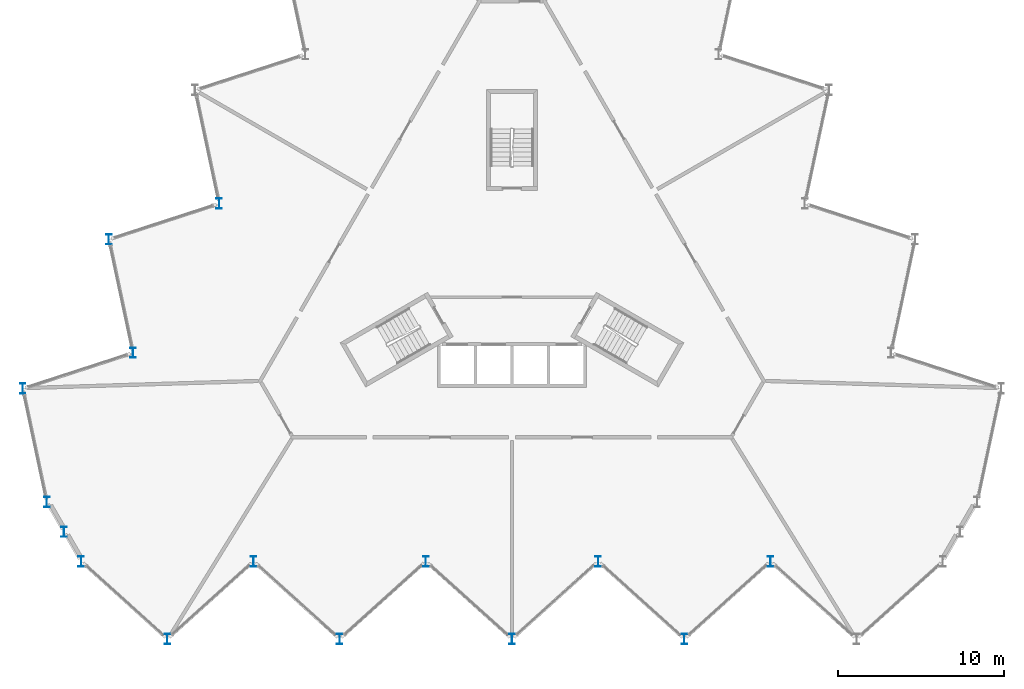
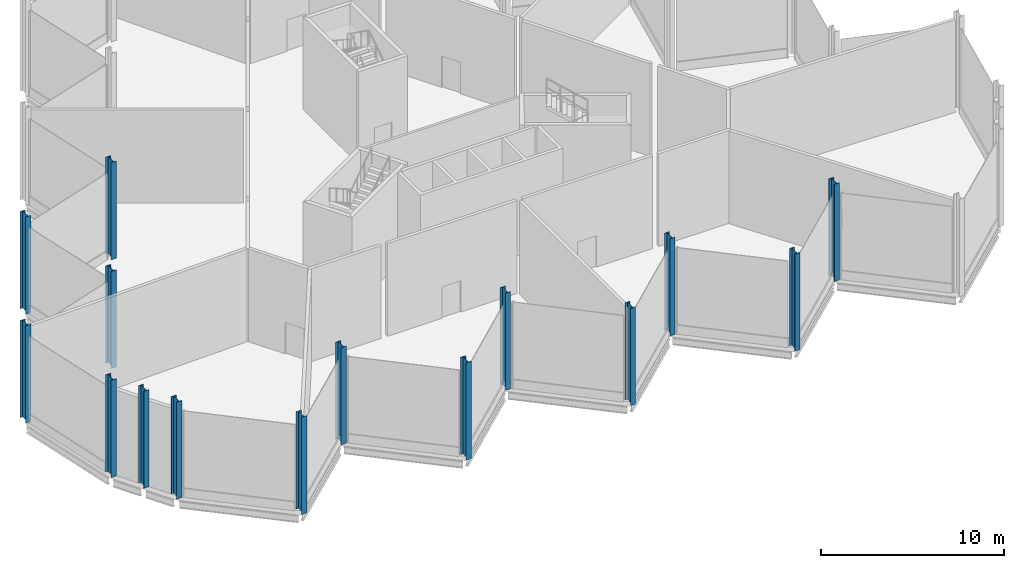
# One storey, part 1 of 12: 15 columns.
"""IFC4 building model written with IfcOpenShell, lengths in metres."""

import ifcopenshell
import ifcopenshell.guid

model = None  # the IFC model being written
_history = None  # IfcOwnerHistory: only IFC2X3 demands one
_inside = {}  # id of a spatial element -> (the spatial element, [elements in it])
_under = {}  # id of a project, library or spatial element -> (it, [spatial elements below it])
_declared = {}  # id of a project -> (the project, [libraries it declares])
_typed = {}  # id of a type object -> (the type object, [elements of that type])
_made_of = {}  # id of a material, layer set ... -> (it, [elements and type objects made of it])


def new_model(schema):
    """Start an empty IFC model of exactly this schema.

    Asked for "IFC4X3", IfcOpenShell would pick the latest addendum, in which some entities
    have other attributes; the version numbers below select the first issue.
    IFC2X3 requires an IfcOwnerHistory on every rooted entity: one is made here for all.
    """
    global model, _history
    if schema == "IFC4X3":
        model = ifcopenshell.file(schema_version=(4, 3, 0, 0))
    else:
        model = ifcopenshell.file(schema=schema)
    _inside.clear()
    _under.clear()
    _declared.clear()
    _typed.clear()
    _made_of.clear()
    _history = None
    if model.schema == "IFC2X3":
        org = make("IfcOrganization", Name="unknown")
        user = make(
            "IfcPersonAndOrganization",
            ThePerson=make("IfcPerson", FamilyName="unknown"),
            TheOrganization=org,
        )
        app = make(
            "IfcApplication",
            ApplicationDeveloper=org,
            Version="unknown",
            ApplicationFullName="unknown",
            ApplicationIdentifier="unknown",
        )
        _history = make(
            "IfcOwnerHistory",
            OwningUser=user,
            OwningApplication=app,
            ChangeAction="ADDED",
            CreationDate=0,
        )
    return model


def make(cls, **values):
    """One entity of the class cls with the attributes given. An attribute that is None is left unset."""
    return model.create_entity(
        cls, **{name: value for name, value in values.items() if value is not None}
    )


def rooted(cls, **values):
    """An entity with a GlobalId (a new one), such as an element, a storey or a relation."""
    return make(cls, GlobalId=ifcopenshell.guid.new(), OwnerHistory=_history, **values)


def si_unit(unit_type, name, prefix=None):
    """IfcSIUnit, for example si_unit("LENGTHUNIT", "METRE", prefix="MILLI")."""
    return make("IfcSIUnit", UnitType=unit_type, Prefix=prefix, Name=name)


def assignment(units):
    """IfcUnitAssignment: the units of a project."""
    return None if units is None else make("IfcUnitAssignment", Units=units)


def point(xyz):
    """IfcCartesianPoint."""
    return None if xyz is None else make("IfcCartesianPoint", Coordinates=xyz)


def direction(xyz):
    """IfcDirection."""
    return None if xyz is None else make("IfcDirection", DirectionRatios=xyz)


def frame(location, z_axis=None, x_axis=None):
    """IfcAxis2Placement3D, a coordinate frame: its origin and axes. An axis left out is left unset."""
    return make(
        "IfcAxis2Placement3D",
        Location=point(location),
        Axis=direction(z_axis),
        RefDirection=direction(x_axis),
    )


def frame_2d(location, x_axis=None):
    """IfcAxis2Placement2D, a coordinate frame in the plane: its origin and x axis."""
    return make(
        "IfcAxis2Placement2D", Location=point(location), RefDirection=direction(x_axis)
    )


def origin():
    """The frame at (0, 0, 0) with its axes left unset."""
    return frame((0.0, 0.0, 0.0))


def origin_2d():
    """The frame at (0, 0) in the plane with its x axis left unset."""
    return frame_2d((0.0, 0.0))


def place(relative_to, where):
    """IfcLocalPlacement: puts the frame where relative to a parent placement (None: the world)."""
    return make(
        "IfcLocalPlacement", PlacementRelTo=relative_to, RelativePlacement=where
    )


def context(
    kind, dimensions, precision=None, world=None, true_north=None, identifier=None
):
    """IfcGeometricRepresentationContext, for example the 3D "Model" context."""
    return make(
        "IfcGeometricRepresentationContext",
        ContextIdentifier=identifier,
        ContextType=kind,
        CoordinateSpaceDimension=dimensions,
        Precision=precision,
        WorldCoordinateSystem=world,
        TrueNorth=true_north,
    )


def subcontext(parent, identifier, kind, view, scale=None):
    """IfcGeometricRepresentationSubContext, for example "Body" below "Model"."""
    return make(
        "IfcGeometricRepresentationSubContext",
        ContextIdentifier=identifier,
        ContextType=kind,
        ParentContext=parent,
        TargetScale=scale,
        TargetView=view,
    )


def project(units=None, contexts=None):
    """IfcProject with its units and contexts."""
    return rooted(
        "IfcProject",
        Name="project",
        RepresentationContexts=contexts,
        UnitsInContext=assignment(units),
    )


def spatial(cls, under=None, at=None, **own):
    """A site, building, storey or space (cls), placed at a placement, below another one or the project."""
    s = rooted(cls, ObjectPlacement=at, **own)
    if under is not None:
        _under.setdefault(under.id(), (under, []))[1].append(s)
    return s


def profile(cls, at=None, kind="AREA", **sizes):
    """A parametric profile (cls). Its sizes go by their IFC names, for example OverallWidth=200.0."""
    return make(cls, ProfileType=kind, Position=at, **sizes)


def i_section(**sizes):
    """IfcIShapeProfileDef."""
    return profile("IfcIShapeProfileDef", **sizes)


def extrude(swept, where, along, depth):
    """IfcExtrudedAreaSolid: the profile swept, set in the frame where, extruded along a direction by depth."""
    return make(
        "IfcExtrudedAreaSolid",
        SweptArea=swept,
        Position=where,
        ExtrudedDirection=direction(along),
        Depth=depth,
    )


def shape(context_of_items, identifier, shape_type, items):
    """IfcShapeRepresentation: the items that make up one representation, for example the "Body"."""
    return make(
        "IfcShapeRepresentation",
        ContextOfItems=context_of_items,
        RepresentationIdentifier=identifier,
        RepresentationType=shape_type,
        Items=items,
    )


def material(Name=None, Category=None):
    """IfcMaterial."""
    return make("IfcMaterial", Name=Name, Category=Category)


def material_profile(
    of_material, cross_section, Name=None, Category=None, Priority=None
):
    """IfcMaterialProfile: a cross section and its material."""
    return make(
        "IfcMaterialProfile",
        Name=Name,
        Material=of_material,
        Profile=cross_section,
        Priority=Priority,
        Category=Category,
    )


def profile_set(profiles, Name=None, composite=None):
    """IfcMaterialProfileSet."""
    return make(
        "IfcMaterialProfileSet",
        Name=Name,
        MaterialProfiles=profiles,
        CompositeProfile=composite,
    )


def made_of(thing, what):
    """Note that an element or type object is made of a material, layer set ...; save() writes the relation."""
    if what is not None:
        _made_of.setdefault(what.id(), (what, []))[1].append(thing)
    return thing


def type_object(cls, material=None, **own):
    """A type object (cls), such as IfcWallType, which elements share."""
    return made_of(rooted(cls, **own), material)


def element(
    cls,
    number,
    at=None,
    inside=None,
    cuts=None,
    type_object=None,
    material=None,
    context=None,
    identifier="Body",
    shape_type=None,
    held_by="IfcProductDefinitionShape",
    body=None,
    shapes=None,
    **own,
):
    """One element of the class cls, such as IfcWall. Its Tag is "e" and its number.

    at: its placement. inside: the storey or other place that contains it. cuts: it is an
    opening in that element (IfcRelVoidsElement). A single representation is given by context,
    identifier, shape_type and body (its items); several are given by shapes. held_by: the class
    of the entity that holds the representations. save() writes the other relations.
    """
    e = rooted(cls, Tag="e%d" % number, ObjectPlacement=at, **own)
    if body is not None:
        shapes = [shape(context, identifier, shape_type, body)]
    if shapes is not None:
        e.Representation = make(held_by, Representations=shapes)
    if inside is not None:
        _inside.setdefault(inside.id(), (inside, []))[1].append(e)
    if cuts is not None:
        rooted(
            "IfcRelVoidsElement", RelatingBuildingElement=cuts, RelatedOpeningElement=e
        )
    if type_object is not None:
        _typed.setdefault(type_object.id(), (type_object, []))[1].append(e)
    return made_of(e, material)


def aggregate(whole, parts):
    """IfcRelAggregates: a whole, such as a stair, and the parts it consists of."""
    return rooted("IfcRelAggregates", RelatingObject=whole, RelatedObjects=parts)


def save(model, path):
    """Write the relations noted so far, then the file.

    IfcRelAggregates (storeys below a building ...), IfcRelContainedInSpatialStructure (elements
    in a storey), IfcRelDefinesByType, IfcRelAssociatesMaterial and IfcRelDeclares: one each for
    every whole, place, type object, material and project.
    """
    for whole, parts in _under.values():
        aggregate(whole, parts)
    for where, things in _inside.values():
        rooted(
            "IfcRelContainedInSpatialStructure",
            RelatedElements=things,
            RelatingStructure=where,
        )
    for kind, things in _typed.values():
        rooted("IfcRelDefinesByType", RelatedObjects=things, RelatingType=kind)
    for what, things in _made_of.values():
        rooted("IfcRelAssociatesMaterial", RelatedObjects=things, RelatingMaterial=what)
    for by, libraries in _declared.values():
        rooted("IfcRelDeclares", RelatingContext=by, RelatedDefinitions=libraries)
    model.write(path)


model = new_model("IFC4")

# Units and contexts
model_context = context("Model", 3, precision=1e-05, world=origin(), true_north=direction((0.0, 1.0)))
body_context = subcontext(model_context, "Body", "Model", "MODEL_VIEW")
ifc_project = project(units=[si_unit("LENGTHUNIT", "METRE"), si_unit("AREAUNIT", "SQUARE_METRE"), si_unit("VOLUMEUNIT", "CUBIC_METRE"), si_unit("PLANEANGLEUNIT", "RADIAN"), si_unit("MASSUNIT", "GRAM", prefix="KILO")], contexts=[model_context])

# Site, building, storey
site_placement = place(None, origin())
site = spatial("IfcSite", under=ifc_project, at=site_placement, CompositionType="ELEMENT")
building_placement = place(site_placement, origin())
building = spatial("IfcBuilding", under=site, at=building_placement, Name="Cormorant Prow Tower", CompositionType="ELEMENT")
storey_placement = place(building_placement, frame((0.0, 0.0, 415.199951171875)))
storey = spatial("IfcBuildingStorey", under=building, at=storey_placement, Name="L94", CompositionType="ELEMENT", Elevation=415.199951171875)

# Columns
ifc_material = material(Name="Structural steel ASTM A992 Gr 50", Category="steel")
ifc_material_profile = material_profile(ifc_material, i_section(OverallWidth=0.326416015625, OverallDepth=0.621826171875, WebThickness=0.015380859375, FlangeThickness=0.0244140625, at=origin_2d()), Name="W24x131")
ifc_profile_set = profile_set([ifc_material_profile], Name="Structural steel ASTM A992 Gr 50")
column_type = type_object("IfcColumnType", Name="Crown frame column W24x131", PredefinedType="COLUMN", material=ifc_profile_set)
for number, where, z_axis, x_axis, name in (
    (1, (-26.0, -17.40576171875, 0.0), (0.0, 0.0, 1.0), (1.0, 0.0, 0.0), "Crown frame column at S00 L94"),
    (2, (-20.800048828125, -22.087890625, 0.0), (0.0, 0.0, 1.0), (1.0, 0.0, 0.0), "Crown frame column at S01 L94"),
    (3, (-15.60009765625, -17.40576171875, 0.0), (0.0, 0.0, 1.0), (1.0, 0.0, 0.0), "Crown frame column at S02 L94"),
    (4, (-10.39990234375, -22.087890625, 0.0), (0.0, 0.0, 1.0), (1.0, 0.0, 0.0), "Crown frame column at S03 L94"),
    (5, (-5.199951171875, -17.40576171875, 0.0), (0.0, 0.0, 1.0), (1.0, 0.0, 0.0), "Crown frame column at S04 L94"),
    (6, (0.0, -22.087890625, 0.0), (0.0, 0.0, 1.0), (1.0, 0.0, 0.0), "Crown frame column at S05 L94"),
    (7, (5.199951171875, -17.40576171875, 0.0), (0.0, 0.0, 1.0), (1.0, 0.0, 0.0), "Crown frame column at S06 L94"),
    (8, (10.39990234375, -22.087890625, 0.0), (0.0, 0.0, 1.0), (1.0, 0.0, 0.0), "Crown frame column at S07 L94"),
    (9, (15.60009765625, -17.40576171875, 0.0), (0.0, 0.0, 1.0), (1.0, 0.0, 0.0), "Crown frame column at S08 L94"),
    (10, (-17.673828125, 4.199462890625, 0.0), (0.0, 0.0, 1.0), (1.0, 0.0, 0.0), "Crown frame column at WNW06 L94"),
    (11, (-24.32861328125, 2.037353515625, 0.0), (0.0, 0.0, 1.0), (1.0, 0.0, 0.0), "Crown frame column at WNW07 L94"),
    (12, (-22.873779296875, -4.80712890625, 0.0), (0.0, 0.0, 1.0), (1.0, 0.0, 0.0), "Crown frame column at WNW08 L94"),
    (13, (-29.528564453125, -6.969482421875, 0.0), (0.0, 0.0, 1.0), (1.0, 0.0, 0.0), "Crown frame column at WNW09 L94"),
    (14, (-28.07373046875, -13.813720703125, 0.0), (0.0, 0.0, 1.0), (1.0, 0.0, 0.0), "Crown frame column at WSW00 L94"),
    (15, (-27.036865234375, -15.60986328125, 0.0), (0.0, 0.0, 1.0), (1.0, 0.0, 0.0), "Crown frame column at WSW01 L94"),
):
    element("IfcColumn", number, at=place(storey_placement, frame(where, z_axis=z_axis, x_axis=x_axis)), inside=storey, type_object=column_type, Name=name, PredefinedType="COLUMN", context=body_context, shape_type="SweptSolid", body=[
        extrude(i_section(OverallWidth=0.326416015625, OverallDepth=0.621826171875, WebThickness=0.015380859375, FlangeThickness=0.0244140625, at=origin_2d()), origin(), (0.0, 0.0, 1.0), 6.5),
    ])

save(model, "model.ifc")
